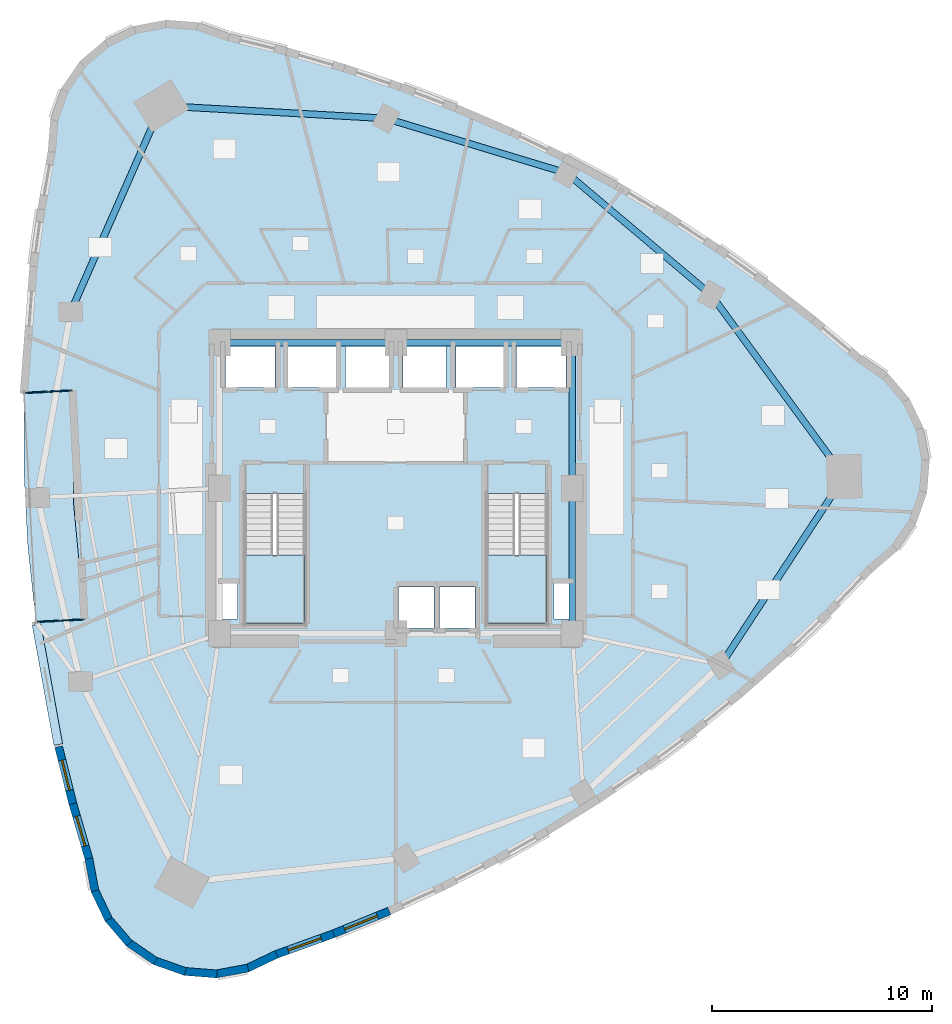
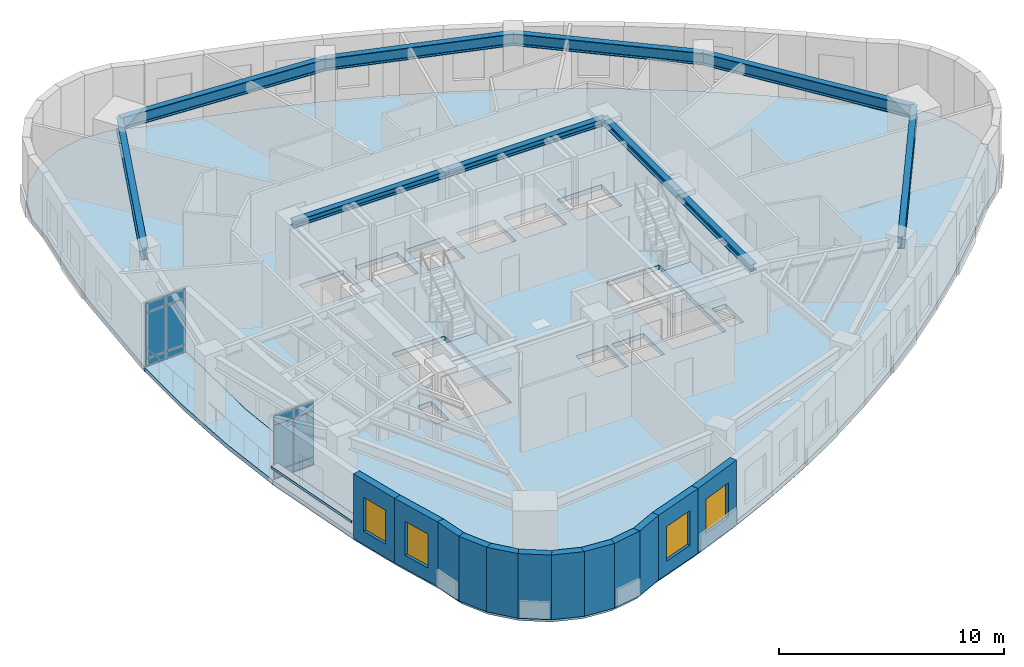
# One storey, part 4 of 12: 13 plates, 12 walls, 10 beams, 4 slabs, 4 windows, 4 openings, 4 elements without a shape of their own.
"""IFC4 building model written with IfcOpenShell, lengths in metres."""

import ifcopenshell
import ifcopenshell.guid

model = None  # the IFC model being written
_history = None  # IfcOwnerHistory: only IFC2X3 demands one
_inside = {}  # id of a spatial element -> (the spatial element, [elements in it])
_under = {}  # id of a project, library or spatial element -> (it, [spatial elements below it])
_declared = {}  # id of a project -> (the project, [libraries it declares])
_typed = {}  # id of a type object -> (the type object, [elements of that type])
_made_of = {}  # id of a material, layer set ... -> (it, [elements and type objects made of it])


def new_model(schema):
    """Start an empty IFC model of exactly this schema.

    Asked for "IFC4X3", IfcOpenShell would pick the latest addendum, in which some entities
    have other attributes; the version numbers below select the first issue.
    IFC2X3 requires an IfcOwnerHistory on every rooted entity: one is made here for all.
    """
    global model, _history
    if schema == "IFC4X3":
        model = ifcopenshell.file(schema_version=(4, 3, 0, 0))
    else:
        model = ifcopenshell.file(schema=schema)
    _inside.clear()
    _under.clear()
    _declared.clear()
    _typed.clear()
    _made_of.clear()
    _history = None
    if model.schema == "IFC2X3":
        org = make("IfcOrganization", Name="unknown")
        user = make(
            "IfcPersonAndOrganization",
            ThePerson=make("IfcPerson", FamilyName="unknown"),
            TheOrganization=org,
        )
        app = make(
            "IfcApplication",
            ApplicationDeveloper=org,
            Version="unknown",
            ApplicationFullName="unknown",
            ApplicationIdentifier="unknown",
        )
        _history = make(
            "IfcOwnerHistory",
            OwningUser=user,
            OwningApplication=app,
            ChangeAction="ADDED",
            CreationDate=0,
        )
    return model


def make(cls, **values):
    """One entity of the class cls with the attributes given. An attribute that is None is left unset."""
    return model.create_entity(
        cls, **{name: value for name, value in values.items() if value is not None}
    )


def rooted(cls, **values):
    """An entity with a GlobalId (a new one), such as an element, a storey or a relation."""
    return make(cls, GlobalId=ifcopenshell.guid.new(), OwnerHistory=_history, **values)


def si_unit(unit_type, name, prefix=None):
    """IfcSIUnit, for example si_unit("LENGTHUNIT", "METRE", prefix="MILLI")."""
    return make("IfcSIUnit", UnitType=unit_type, Prefix=prefix, Name=name)


def assignment(units):
    """IfcUnitAssignment: the units of a project."""
    return None if units is None else make("IfcUnitAssignment", Units=units)


def point(xyz):
    """IfcCartesianPoint."""
    return None if xyz is None else make("IfcCartesianPoint", Coordinates=xyz)


def direction(xyz):
    """IfcDirection."""
    return None if xyz is None else make("IfcDirection", DirectionRatios=xyz)


def frame(location, z_axis=None, x_axis=None):
    """IfcAxis2Placement3D, a coordinate frame: its origin and axes. An axis left out is left unset."""
    return make(
        "IfcAxis2Placement3D",
        Location=point(location),
        Axis=direction(z_axis),
        RefDirection=direction(x_axis),
    )


def frame_2d(location, x_axis=None):
    """IfcAxis2Placement2D, a coordinate frame in the plane: its origin and x axis."""
    return make(
        "IfcAxis2Placement2D", Location=point(location), RefDirection=direction(x_axis)
    )


def origin():
    """The frame at (0, 0, 0) with its axes left unset."""
    return frame((0.0, 0.0, 0.0))


def origin_2d():
    """The frame at (0, 0) in the plane with its x axis left unset."""
    return frame_2d((0.0, 0.0))


def place(relative_to, where):
    """IfcLocalPlacement: puts the frame where relative to a parent placement (None: the world)."""
    return make(
        "IfcLocalPlacement", PlacementRelTo=relative_to, RelativePlacement=where
    )


def context(
    kind, dimensions, precision=None, world=None, true_north=None, identifier=None
):
    """IfcGeometricRepresentationContext, for example the 3D "Model" context."""
    return make(
        "IfcGeometricRepresentationContext",
        ContextIdentifier=identifier,
        ContextType=kind,
        CoordinateSpaceDimension=dimensions,
        Precision=precision,
        WorldCoordinateSystem=world,
        TrueNorth=true_north,
    )


def subcontext(parent, identifier, kind, view, scale=None):
    """IfcGeometricRepresentationSubContext, for example "Body" below "Model"."""
    return make(
        "IfcGeometricRepresentationSubContext",
        ContextIdentifier=identifier,
        ContextType=kind,
        ParentContext=parent,
        TargetScale=scale,
        TargetView=view,
    )


def project(units=None, contexts=None):
    """IfcProject with its units and contexts."""
    return rooted(
        "IfcProject",
        Name="project",
        RepresentationContexts=contexts,
        UnitsInContext=assignment(units),
    )


def spatial(cls, under=None, at=None, **own):
    """A site, building, storey or space (cls), placed at a placement, below another one or the project."""
    s = rooted(cls, ObjectPlacement=at, **own)
    if under is not None:
        _under.setdefault(under.id(), (under, []))[1].append(s)
    return s


def polyline(points):
    """IfcPolyline through the points."""
    return make("IfcPolyline", Points=[point(p) for p in points])


def profile(cls, at=None, kind="AREA", **sizes):
    """A parametric profile (cls). Its sizes go by their IFC names, for example OverallWidth=200.0."""
    return make(cls, ProfileType=kind, Position=at, **sizes)


def rectangle(**sizes):
    """IfcRectangleProfileDef."""
    return profile("IfcRectangleProfileDef", **sizes)


def i_section(**sizes):
    """IfcIShapeProfileDef."""
    return profile("IfcIShapeProfileDef", **sizes)


def outline(outer, holes=None, kind="AREA"):
    """IfcArbitraryClosedProfileDef: a profile drawn as a closed curve; with holes, ...WithVoids."""
    if holes is None:
        return make("IfcArbitraryClosedProfileDef", ProfileType=kind, OuterCurve=outer)
    return make(
        "IfcArbitraryProfileDefWithVoids",
        ProfileType=kind,
        OuterCurve=outer,
        InnerCurves=holes,
    )


def extrude(swept, where, along, depth):
    """IfcExtrudedAreaSolid: the profile swept, set in the frame where, extruded along a direction by depth."""
    return make(
        "IfcExtrudedAreaSolid",
        SweptArea=swept,
        Position=where,
        ExtrudedDirection=direction(along),
        Depth=depth,
    )


def shape(context_of_items, identifier, shape_type, items):
    """IfcShapeRepresentation: the items that make up one representation, for example the "Body"."""
    return make(
        "IfcShapeRepresentation",
        ContextOfItems=context_of_items,
        RepresentationIdentifier=identifier,
        RepresentationType=shape_type,
        Items=items,
    )


def material(Name=None, Category=None):
    """IfcMaterial."""
    return make("IfcMaterial", Name=Name, Category=Category)


def layer(
    of_material, thickness, ventilated=None, Name=None, Category=None, Priority=None
):
    """IfcMaterialLayer: one layer of a wall or slab, of a material (None: an air gap)."""
    return make(
        "IfcMaterialLayer",
        Material=of_material,
        LayerThickness=thickness,
        IsVentilated=ventilated,
        Name=Name,
        Category=Category,
        Priority=Priority,
    )


def layer_set(layers, Name=None):
    """IfcMaterialLayerSet."""
    return make("IfcMaterialLayerSet", MaterialLayers=layers, LayerSetName=Name)


def material_profile(
    of_material, cross_section, Name=None, Category=None, Priority=None
):
    """IfcMaterialProfile: a cross section and its material."""
    return make(
        "IfcMaterialProfile",
        Name=Name,
        Material=of_material,
        Profile=cross_section,
        Priority=Priority,
        Category=Category,
    )


def profile_set(profiles, Name=None, composite=None):
    """IfcMaterialProfileSet."""
    return make(
        "IfcMaterialProfileSet",
        Name=Name,
        MaterialProfiles=profiles,
        CompositeProfile=composite,
    )


def made_of(thing, what):
    """Note that an element or type object is made of a material, layer set ...; save() writes the relation."""
    if what is not None:
        _made_of.setdefault(what.id(), (what, []))[1].append(thing)
    return thing


def type_object(cls, material=None, **own):
    """A type object (cls), such as IfcWallType, which elements share."""
    return made_of(rooted(cls, **own), material)


def element(
    cls,
    number,
    at=None,
    inside=None,
    cuts=None,
    type_object=None,
    material=None,
    context=None,
    identifier="Body",
    shape_type=None,
    held_by="IfcProductDefinitionShape",
    body=None,
    shapes=None,
    **own,
):
    """One element of the class cls, such as IfcWall. Its Tag is "e" and its number.

    at: its placement. inside: the storey or other place that contains it. cuts: it is an
    opening in that element (IfcRelVoidsElement). A single representation is given by context,
    identifier, shape_type and body (its items); several are given by shapes. held_by: the class
    of the entity that holds the representations. save() writes the other relations.
    """
    e = rooted(cls, Tag="e%d" % number, ObjectPlacement=at, **own)
    if body is not None:
        shapes = [shape(context, identifier, shape_type, body)]
    if shapes is not None:
        e.Representation = make(held_by, Representations=shapes)
    if inside is not None:
        _inside.setdefault(inside.id(), (inside, []))[1].append(e)
    if cuts is not None:
        rooted(
            "IfcRelVoidsElement", RelatingBuildingElement=cuts, RelatedOpeningElement=e
        )
    if type_object is not None:
        _typed.setdefault(type_object.id(), (type_object, []))[1].append(e)
    return made_of(e, material)


def fill(opening, filler):
    """IfcRelFillsElement: the door or window that sits in an opening."""
    return rooted(
        "IfcRelFillsElement",
        RelatingOpeningElement=opening,
        RelatedBuildingElement=filler,
    )


def aggregate(whole, parts):
    """IfcRelAggregates: a whole, such as a stair, and the parts it consists of."""
    return rooted("IfcRelAggregates", RelatingObject=whole, RelatedObjects=parts)


def save(model, path):
    """Write the relations noted so far, then the file.

    IfcRelAggregates (storeys below a building ...), IfcRelContainedInSpatialStructure (elements
    in a storey), IfcRelDefinesByType, IfcRelAssociatesMaterial and IfcRelDeclares: one each for
    every whole, place, type object, material and project.
    """
    for whole, parts in _under.values():
        aggregate(whole, parts)
    for where, things in _inside.values():
        rooted(
            "IfcRelContainedInSpatialStructure",
            RelatedElements=things,
            RelatingStructure=where,
        )
    for kind, things in _typed.values():
        rooted("IfcRelDefinesByType", RelatedObjects=things, RelatingType=kind)
    for what, things in _made_of.values():
        rooted("IfcRelAssociatesMaterial", RelatedObjects=things, RelatingMaterial=what)
    for by, libraries in _declared.values():
        rooted("IfcRelDeclares", RelatingContext=by, RelatedDefinitions=libraries)
    model.write(path)


model = new_model("IFC4")

# Units and contexts
model_context = context("Model", 3, precision=1e-05, world=origin(), true_north=direction((0.0, 1.0)))
body_context = subcontext(model_context, "Body", "Model", "MODEL_VIEW")
ifc_project = project(units=[si_unit("LENGTHUNIT", "METRE"), si_unit("AREAUNIT", "SQUARE_METRE"), si_unit("VOLUMEUNIT", "CUBIC_METRE"), si_unit("PLANEANGLEUNIT", "RADIAN"), si_unit("MASSUNIT", "GRAM", prefix="KILO")], contexts=[model_context])

# Site, building, storey
site_placement = place(None, origin())
site = spatial("IfcSite", under=ifc_project, at=site_placement, CompositionType="ELEMENT")
building_placement = place(site_placement, origin())
building = spatial("IfcBuilding", under=site, at=building_placement, Name="Ndelora Gate Hotel", CompositionType="ELEMENT")
storey_placement = place(building_placement, frame((0.0, 0.0, 138.5)))
storey = spatial("IfcBuildingStorey", under=building, at=storey_placement, Name="L34", CompositionType="ELEMENT", Elevation=138.5)

# Beams
ifc_material_1 = material(Name="Steel S355", Category="steel")
ifc_material_profile_1 = material_profile(ifc_material_1, i_section(OverallWidth=0.300048828125, OverallDepth=0.360107421875, WebThickness=0.012451171875, FlangeThickness=0.0224609375, FilletRadius=0.027099609375, at=origin_2d()), Name="HEB 360")
ifc_profile_set_1 = profile_set([ifc_material_profile_1], Name="Steel S355")
beam_type_1 = type_object("IfcBeamType", Name="BM-CORE-360", PredefinedType="BEAM", material=ifc_profile_set_1)
for number, where, z_axis, x_axis, name in (
    (1, (-8.0, 6.60009765625, 3.320068359375), (1.0, 0.0, 0.0), (0.0, 1.0, 0.0), "L34 Core Tie Girder CC7-CC6"),
    (2, (0.0, 6.60009765625, 3.320068359375), (1.0, 0.0, 0.0), (0.0, 1.0, 0.0), "L34 Core Tie Girder CC6-CC5"),
):
    element("IfcBeam", number, at=place(storey_placement, frame(where, z_axis=z_axis, x_axis=x_axis)), inside=storey, type_object=beam_type_1, Name=name, PredefinedType="BEAM", context=body_context, shape_type="SweptSolid", body=[
        extrude(i_section(OverallWidth=0.300048828125, OverallDepth=0.360107421875, WebThickness=0.012451171875, FlangeThickness=0.0224609375, FilletRadius=0.027099609375, at=origin_2d()), origin(), (0.0, 0.0, 1.0), 8.0),
    ])
for number, where, z_axis, x_axis, name in (
    (3, (8.0, -6.60009765625, 3.320068359375), (0.0, 1.0, 0.0), (-1.0, 0.0, 0.0), "L34 Core Tie Girder CC3-CC4"),
    (4, (8.0, 0.0, 3.320068359375), (0.0, 1.0, 0.0), (-1.0, 0.0, 0.0), "L34 Core Tie Girder CC4-CC5"),
):
    element("IfcBeam", number, at=place(storey_placement, frame(where, z_axis=z_axis, x_axis=x_axis)), inside=storey, type_object=beam_type_1, Name=name, PredefinedType="BEAM", context=body_context, shape_type="SweptSolid", body=[
        extrude(i_section(OverallWidth=0.300048828125, OverallDepth=0.360107421875, WebThickness=0.012451171875, FlangeThickness=0.0224609375, FilletRadius=0.027099609375, at=origin_2d()), origin(), (0.0, 0.0, 1.0), 6.60009765625),
    ])
ifc_material_profile_2 = material_profile(ifc_material_1, i_section(OverallWidth=0.300048828125, OverallDepth=0.64990234375, WebThickness=0.01611328125, FlangeThickness=0.031005859375, FilletRadius=0.027099609375, at=origin_2d()), Name="HEB 650")
ifc_profile_set_2 = profile_set([ifc_material_profile_2], Name="Steel S355")
beam_type_2 = type_object("IfcBeamType", Name="BM-RING-650", PredefinedType="SPANDREL", material=ifc_profile_set_2)
beam_1_placement = place(storey_placement, frame((-10.63330078125, 17.351806640625, 3.175048828125), z_axis=(-0.402852396707, -0.915264959707, 0.0), x_axis=(0.915264959707, -0.402852396707, 0.0)))
element("IfcBeam", 5, at=beam_1_placement, inside=storey, type_object=beam_type_2, Name="L34 Perimeter Spandrel Girder 1", PredefinedType="SPANDREL", context=body_context, shape_type="SweptSolid", body=[
    extrude(i_section(OverallWidth=0.300048828125, OverallDepth=0.64990234375, WebThickness=0.01611328125, FlangeThickness=0.031005859375, FilletRadius=0.027099609375, at=origin_2d()), origin(), (0.0, 0.0, 1.0), 10.21044921875),
])
for number, where, z_axis, x_axis, name in (
    (6, (14.74658203125, -8.006591796875, 3.175048828125), (0.548194123818, 0.836351123998, 0.0), (-0.836351123998, 0.548194123818, 0.0), "L34 Perimeter Spandrel Girder 8"),
    (7, (20.34375, 0.53271484375, 3.175048828125), (-0.591229932094, 0.806503048597, 0.0), (-0.806503048597, -0.591229932094, 0.0), "L34 Perimeter Spandrel Girder 9"),
):
    element("IfcBeam", number, at=place(storey_placement, frame(where, z_axis=z_axis, x_axis=x_axis)), inside=storey, type_object=beam_type_2, Name=name, PredefinedType="SPANDREL", context=body_context, shape_type="SweptSolid", body=[
        extrude(i_section(OverallWidth=0.300048828125, OverallDepth=0.64990234375, WebThickness=0.01611328125, FlangeThickness=0.031005859375, FilletRadius=0.027099609375, at=origin_2d()), origin(), (0.0, 0.0, 1.0), 10.210205078125),
    ])
beam_2_placement = place(storey_placement, frame((14.30712890625, 8.767333984375, 3.175048828125), z_axis=(-0.76440691948, 0.644734101356, 0.0), x_axis=(-0.644734101356, -0.76440691948, 0.0)))
element("IfcBeam", 8, at=beam_2_placement, inside=storey, type_object=beam_type_2, Name="L34 Perimeter Spandrel Girder 10", PredefinedType="SPANDREL", context=body_context, shape_type="SweptSolid", body=[
    extrude(i_section(OverallWidth=0.300048828125, OverallDepth=0.64990234375, WebThickness=0.01611328125, FlangeThickness=0.031005859375, FilletRadius=0.027099609375, at=origin_2d()), origin(), (0.0, 0.0, 1.0), 8.566162109375),
])
beam_3_placement = place(storey_placement, frame((7.759033203125, 14.290283203125, 3.175048828125), z_axis=(-0.957030396662, 0.289987620192, 0.0), x_axis=(-0.289987620192, -0.957030396662, 0.0)))
element("IfcBeam", 9, at=beam_3_placement, inside=storey, type_object=beam_type_2, Name="L34 Perimeter Spandrel Girder 11", PredefinedType="SPANDREL", context=body_context, shape_type="SweptSolid", body=[
    extrude(i_section(OverallWidth=0.300048828125, OverallDepth=0.64990234375, WebThickness=0.01611328125, FlangeThickness=0.031005859375, FilletRadius=0.027099609375, at=origin_2d()), origin(), (0.0, 0.0, 1.0), 8.56640625),
])
beam_4_placement = place(storey_placement, frame((-0.439208984375, 16.7744140625, 3.175048828125), z_axis=(-0.998399808671, 0.056549288648, 0.0), x_axis=(-0.056549288648, -0.998399808671, 0.0)))
element("IfcBeam", 10, at=beam_4_placement, inside=storey, type_object=beam_type_2, Name="L34 Perimeter Spandrel Girder 12", PredefinedType="SPANDREL", context=body_context, shape_type="SweptSolid", body=[
    extrude(i_section(OverallWidth=0.300048828125, OverallDepth=0.64990234375, WebThickness=0.01611328125, FlangeThickness=0.031005859375, FilletRadius=0.027099609375, at=origin_2d()), origin(), (0.0, 0.0, 1.0), 10.21044921875),
])

# Curtain wall, plates
ifc_material_2 = material(Name="Bronze Anodised Unitised Aluminium and Low-E Glass", Category="aluminium")
ifc_layer_1 = layer(ifc_material_2, 0.199951171875)
ifc_layer_set_1 = layer_set([ifc_layer_1], Name="Bronze Anodised Unitised Aluminium and Low-E Glass")
curtain_wall_type = type_object("IfcCurtainWallType", Name="CW-SYS-3", PredefinedType="NOTDEFINED", material=ifc_layer_set_1)
curtain_wall_1_placement = place(storey_placement, origin())
curtain_wall_1 = element("IfcCurtainWall", 11, at=curtain_wall_1_placement, inside=storey, type_object=curtain_wall_type, Name="L34 Sky-Garden Loggia Side Curtain Wall CW3-1", PredefinedType="NOTDEFINED")
ifc_material_3 = material(Name="Solar-Control Low-E Insulated Glazing", Category="glass")
ifc_layer_2 = layer(ifc_material_3, 0.048095703125)
ifc_layer_set_2 = layer_set([ifc_layer_2], Name="Solar-Control Low-E Insulated Glazing")
plate_type_1 = type_object("IfcPlateType", Name="PL-CW-GLZ36", PredefinedType="CURTAIN_PANEL", material=ifc_layer_set_2)
plate_1_placement = place(storey_placement, frame((-15.2333984375, 4.40869140625, 0.05908203125), z_axis=(0.0, 0.0, 1.0), x_axis=(-0.998630482257, -0.052317873695, 0.0)))
plate_1 = element("IfcPlate", 12, at=plate_1_placement, type_object=plate_type_1, Name="CW3 panel 1.1", PredefinedType="CURTAIN_PANEL", context=body_context, shape_type="SweptSolid", body=[
    extrude(rectangle(XDim=1.014404296875, YDim=0.048095703125, at=origin_2d()), origin(), (0.0, 0.0, 1.0), 0.364501953125),
])
plate_2_placement = place(storey_placement, frame((-15.2333984375, 4.40869140625, 0.4765625), z_axis=(0.0, 0.0, 1.0), x_axis=(-0.998630482257, -0.052317873695, 0.0)))
plate_2 = element("IfcPlate", 13, at=plate_2_placement, type_object=plate_type_1, Name="CW3 panel 1.2", PredefinedType="CURTAIN_PANEL", context=body_context, shape_type="SweptSolid", body=[
    extrude(rectangle(XDim=1.014404296875, YDim=0.048095703125, at=origin_2d()), origin(), (0.0, 0.0, 1.0), 2.447021484375),
])
plate_3_placement = place(storey_placement, frame((-15.2333984375, 4.40869140625, 2.9765625), z_axis=(0.0, 0.0, 1.0), x_axis=(-0.998630482257, -0.052317873695, 0.0)))
plate_3 = element("IfcPlate", 14, at=plate_3_placement, type_object=plate_type_1, Name="CW3 panel 1.3", PredefinedType="CURTAIN_PANEL", context=body_context, shape_type="SweptSolid", body=[
    extrude(rectangle(XDim=1.014404296875, YDim=0.048095703125, at=origin_2d()), origin(), (0.0, 0.0, 1.0), 0.464599609375),
])
plate_4_placement = place(storey_placement, frame((-16.299560546875, 4.35302734375, 0.05908203125), z_axis=(0.0, 0.0, 1.0), x_axis=(-0.998630482257, -0.052317873695, 0.0)))
plate_4 = element("IfcPlate", 15, at=plate_4_placement, type_object=plate_type_1, Name="CW3 panel 2.1", PredefinedType="CURTAIN_PANEL", context=body_context, shape_type="SweptSolid", body=[
    extrude(rectangle(XDim=1.014404296875, YDim=0.048095703125, at=origin_2d()), origin(), (0.0, 0.0, 1.0), 0.364501953125),
])
plate_5_placement = place(storey_placement, frame((-16.299560546875, 4.35302734375, 0.4765625), z_axis=(0.0, 0.0, 1.0), x_axis=(-0.998630482257, -0.052317873695, 0.0)))
plate_5 = element("IfcPlate", 16, at=plate_5_placement, type_object=plate_type_1, Name="CW3 panel 2.2", PredefinedType="CURTAIN_PANEL", context=body_context, shape_type="SweptSolid", body=[
    extrude(rectangle(XDim=1.014404296875, YDim=0.048095703125, at=origin_2d()), origin(), (0.0, 0.0, 1.0), 2.447021484375),
])
plate_6_placement = place(storey_placement, frame((-16.299560546875, 4.35302734375, 2.9765625), z_axis=(0.0, 0.0, 1.0), x_axis=(-0.998630482257, -0.052317873695, 0.0)))
plate_6 = element("IfcPlate", 17, at=plate_6_placement, type_object=plate_type_1, Name="CW3 panel 2.3", PredefinedType="CURTAIN_PANEL", context=body_context, shape_type="SweptSolid", body=[
    extrude(rectangle(XDim=1.014404296875, YDim=0.048095703125, at=origin_2d()), origin(), (0.0, 0.0, 1.0), 0.464599609375),
])
aggregate(curtain_wall_1, [plate_1, plate_2, plate_3, plate_4, plate_5, plate_6])

curtain_wall_2_placement = place(storey_placement, origin())
curtain_wall_2 = element("IfcCurtainWall", 18, at=curtain_wall_2_placement, inside=storey, type_object=curtain_wall_type, Name="L34 Sky-Garden Loggia Side Curtain Wall CW3-2", PredefinedType="NOTDEFINED")
plate_7_placement = place(storey_placement, frame((-15.755126953125, -6.032958984375, 0.05908203125), z_axis=(0.0, 0.0, 1.0), x_axis=(0.998628106419, 0.052363203389, 0.0)))
plate_7 = element("IfcPlate", 19, at=plate_7_placement, type_object=plate_type_1, Name="CW3 panel 1.1", PredefinedType="CURTAIN_PANEL", context=body_context, shape_type="SweptSolid", body=[
    extrude(rectangle(XDim=1.014404296875, YDim=0.048095703125, at=origin_2d()), origin(), (0.0, 0.0, 1.0), 0.364501953125),
])
plate_8_placement = place(storey_placement, frame((-15.755126953125, -6.032958984375, 0.4765625), z_axis=(0.0, 0.0, 1.0), x_axis=(0.998628106419, 0.052363203389, 0.0)))
plate_8 = element("IfcPlate", 20, at=plate_8_placement, type_object=plate_type_1, Name="CW3 panel 1.2", PredefinedType="CURTAIN_PANEL", context=body_context, shape_type="SweptSolid", body=[
    extrude(rectangle(XDim=1.014404296875, YDim=0.048095703125, at=origin_2d()), origin(), (0.0, 0.0, 1.0), 2.447021484375),
])
plate_9_placement = place(storey_placement, frame((-15.755126953125, -6.032958984375, 2.9765625), z_axis=(0.0, 0.0, 1.0), x_axis=(0.998628106419, 0.052363203389, 0.0)))
plate_9 = element("IfcPlate", 21, at=plate_9_placement, type_object=plate_type_1, Name="CW3 panel 1.3", PredefinedType="CURTAIN_PANEL", context=body_context, shape_type="SweptSolid", body=[
    extrude(rectangle(XDim=1.014404296875, YDim=0.048095703125, at=origin_2d()), origin(), (0.0, 0.0, 1.0), 0.464599609375),
])
plate_10_placement = place(storey_placement, frame((-14.689208984375, -5.97705078125, 0.05908203125), z_axis=(0.0, 0.0, 1.0), x_axis=(0.998628106419, 0.052363203389, 0.0)))
plate_10 = element("IfcPlate", 22, at=plate_10_placement, type_object=plate_type_1, Name="CW3 panel 2.1", PredefinedType="CURTAIN_PANEL", context=body_context, shape_type="SweptSolid", body=[
    extrude(rectangle(XDim=1.014404296875, YDim=0.048095703125, at=origin_2d()), origin(), (0.0, 0.0, 1.0), 0.364501953125),
])
plate_11_placement = place(storey_placement, frame((-14.689208984375, -5.97705078125, 0.4765625), z_axis=(0.0, 0.0, 1.0), x_axis=(0.998628106419, 0.052363203389, 0.0)))
plate_11 = element("IfcPlate", 23, at=plate_11_placement, type_object=plate_type_1, Name="CW3 panel 2.2", PredefinedType="CURTAIN_PANEL", context=body_context, shape_type="SweptSolid", body=[
    extrude(rectangle(XDim=1.014404296875, YDim=0.048095703125, at=origin_2d()), origin(), (0.0, 0.0, 1.0), 2.447021484375),
])
plate_12_placement = place(storey_placement, frame((-14.689208984375, -5.97705078125, 2.9765625), z_axis=(0.0, 0.0, 1.0), x_axis=(0.998628106419, 0.052363203389, 0.0)))
plate_12 = element("IfcPlate", 24, at=plate_12_placement, type_object=plate_type_1, Name="CW3 panel 2.3", PredefinedType="CURTAIN_PANEL", context=body_context, shape_type="SweptSolid", body=[
    extrude(rectangle(XDim=1.014404296875, YDim=0.048095703125, at=origin_2d()), origin(), (0.0, 0.0, 1.0), 0.464599609375),
])
aggregate(curtain_wall_2, [plate_7, plate_8, plate_9, plate_10, plate_11, plate_12])

# Plate
ifc_material_4 = material(Name="Precast concrete C40/50", Category="concrete")
ifc_layer_3 = layer(ifc_material_4, 0.125)
ifc_layer_set_3 = layer_set([ifc_layer_3], Name="Precast concrete C40/50")
plate_type_2 = type_object("IfcPlateType", Name="PL-SILL-120", PredefinedType="USERDEFINED", material=ifc_layer_set_3)
plate_13_placement = place(storey_placement, frame((-15.804443359375, -8.904541015625, 0.78759765625), z_axis=(0.0, 0.0, 1.0), x_axis=(-0.17863049206, 0.983916229822, 0.0)))
element("IfcPlate", 25, at=plate_13_placement, inside=storey, type_object=plate_type_2, Name="L34 Streamline Precast Ribbon Sill 16", ObjectType="RIBBON_SILL", PredefinedType="USERDEFINED", context=body_context, shape_type="SweptSolid", body=[
    extrude(rectangle(XDim=5.527099609375, YDim=0.39990234375, at=origin_2d()), origin(), (0.0, 0.0, 1.0), 0.125),
])

# Stair, slab
stair_type = type_object("IfcStairType", Name="STR-DOG-CORE", PredefinedType="HALF_TURN_STAIR", material=ifc_material_4)
stair_1_placement = place(storey_placement, origin())
stair_1 = element("IfcStair", 26, at=stair_1_placement, inside=storey, type_object=stair_type, Name="L34 Protected Core Exit Stair ST4", PredefinedType="HALF_TURN_STAIR")
ifc_layer_4 = layer(ifc_material_4, 0.219970703125)
ifc_layer_set_4 = layer_set([ifc_layer_4], Name="Precast concrete C40/50")
slab_type_1 = type_object("IfcSlabType", Name="SL-LAND-220", PredefinedType="LANDING", material=ifc_layer_set_4)
slab_1_placement = place(storey_placement, frame((0.0, 0.0, 1.675048828125)))
slab_1 = element("IfcSlab", 27, at=slab_1_placement, type_object=slab_type_1, Name="ST4 landing 1", PredefinedType="LANDING", context=body_context, shape_type="SweptSolid", body=[
    extrude(outline(polyline([(-6.85009765625, -3.030029296875), (-6.85009765625, -6.14990234375), (-4.1298828125, -6.14990234375), (-4.1298828125, -3.030029296875), (-6.85009765625, -3.030029296875)])), origin(), (0.0, 0.0, 1.0), 0.199951171875),
])
aggregate(stair_1, [slab_1])

stair_2_placement = place(storey_placement, origin())
stair_2 = element("IfcStair", 28, at=stair_2_placement, inside=storey, type_object=stair_type, Name="L34 Protected Core Exit Stair ST5", PredefinedType="HALF_TURN_STAIR")
slab_2_placement = place(storey_placement, frame((0.0, 0.0, 1.675048828125)))
slab_2 = element("IfcSlab", 29, at=slab_2_placement, type_object=slab_type_1, Name="ST5 landing 1", PredefinedType="LANDING", context=body_context, shape_type="SweptSolid", body=[
    extrude(outline(polyline([(4.1298828125, -3.030029296875), (4.1298828125, -6.14990234375), (6.85009765625, -6.14990234375), (6.85009765625, -3.030029296875), (4.1298828125, -3.030029296875)])), origin(), (0.0, 0.0, 1.0), 0.199951171875),
])
aggregate(stair_2, [slab_2])

# Slabs
ifc_layer_5 = layer(ifc_material_4, 0.239990234375)
ifc_layer_set_5 = layer_set([ifc_layer_5], Name="Precast concrete C40/50")
slab_type_2 = type_object("IfcSlabType", Name="SL-TER-240", PredefinedType="FLOOR", material=ifc_layer_set_5)
slab_3_placement = place(storey_placement, frame((0.0, 0.0, -0.239990234375)))
element("IfcSlab", 30, at=slab_3_placement, inside=storey, type_object=slab_type_2, Name="L34 Sky Garden Loggia Terrace Slab", PredefinedType="FLOOR", context=body_context, shape_type="SweptSolid", body=[
    extrude(outline(polyline([(-14.66796875, 4.4384765625), (-16.864990234375, 4.3232421875), (-16.875, 0.885986328125), (-16.689697265625, -2.64501953125), (-16.32080078125, -6.0625), (-14.123779296875, -5.947265625), (-14.610107421875, -0.765625), (-14.66796875, 4.4384765625)])), origin(), (0.0, 0.0, 1.0), 0.239990234375),
])
ifc_material_5 = material(Name="Concrete C40/50", Category="concrete")
ifc_layer_6 = layer(ifc_material_5, 0.25)
ifc_layer_set_6 = layer_set([ifc_layer_6], Name="Concrete C40/50")
slab_type_3 = type_object("IfcSlabType", Name="SL-TWR-250", PredefinedType="FLOOR", material=ifc_layer_set_6)
slab_4_placement = place(storey_placement, frame((0.0, 0.0, -0.25)))
element("IfcSlab", 31, at=slab_4_placement, inside=storey, type_object=slab_type_3, Name="L34 Structural Floor Slab", PredefinedType="FLOOR", context=body_context, shape_type="SweptSolid", body=[
    extrude(outline(polyline([(-7.61181640625, 20.466552734375), (-8.965087890625, 20.94580078125), (-10.396484375, 21.05859375), (-11.808349609375, 20.796875), (-13.104248046875, 20.1787109375), (-14.196044921875, 19.24609375), (-15.00927734375, 18.06298828125), (-15.488525390625, 16.70947265625), (-15.60107421875, 15.2783203125), (-16.069091796875, 12.67822265625), (-16.4326171875, 10.083984375), (-16.864990234375, 4.3232421875), (-14.66796875, 4.4384765625), (-14.610107421875, -0.765625), (-14.123779296875, -5.947265625), (-16.32080078125, -6.0625), (-15.288330078125, -11.746337890625), (-14.656005859375, -14.28857421875), (-13.918701171875, -16.8251953125), (-13.656982421875, -18.237060546875), (-13.038818359375, -19.532958984375), (-12.1064453125, -20.624755859375), (-10.923095703125, -21.43798828125), (-9.569580078125, -21.917236328125), (-8.138427734375, -22.02978515625), (-6.7265625, -21.768310546875), (-5.4306640625, -21.150146484375), (-2.8427734375, -20.21630859375), (-0.31689453125, -19.18701171875), (2.14697265625, -18.062255859375), (4.548828125, -16.842041015625), (6.888671875, -15.5263671875), (9.16650390625, -14.114990234375), (11.382080078125, -12.608154296875), (13.535888671875, -11.005859375), (15.62744140625, -9.30810546875), (17.6572265625, -7.5146484375), (19.624755859375, -5.625732421875), (21.530517578125, -3.641357421875), (22.622314453125, -2.708740234375), (23.435302734375, -1.525634765625), (23.914794921875, -0.172119140625), (24.02734375, 1.25927734375), (23.765625, 2.6708984375), (23.147705078125, 3.966796875), (22.215087890625, 5.05859375), (21.03173828125, 5.871826171875), (18.92919921875, 7.646240234375), (16.77490234375, 9.319091796875), (14.569091796875, 10.890380859375), (12.311279296875, 12.3603515625), (10.001708984375, 13.728759765625), (7.640625, 14.995849609375), (5.227783203125, 16.161376953125), (2.763427734375, 17.225341796875), (0.247314453125, 18.187744140625), (-2.32080078125, 19.048828125), (-4.9404296875, 19.808349609375), (-7.61181640625, 20.466552734375)]), holes=[polyline([(-6.85009765625, -0.22998046875), (-6.85009765625, -6.14990234375), (-4.1298828125, -6.14990234375), (-4.1298828125, -0.22998046875), (-6.85009765625, -0.22998046875)]), polyline([(4.1298828125, -0.22998046875), (4.1298828125, -6.14990234375), (6.85009765625, -6.14990234375), (6.85009765625, -0.22998046875), (4.1298828125, -0.22998046875)]), polyline([(-7.72998046875, 4.570068359375), (-5.469970703125, 4.570068359375), (-5.469970703125, 6.429931640625), (-7.72998046875, 6.429931640625), (-7.72998046875, 4.570068359375)]), polyline([(5.469970703125, 4.570068359375), (7.72998046875, 4.570068359375), (7.72998046875, 6.429931640625), (5.469970703125, 6.429931640625), (5.469970703125, 4.570068359375)]), polyline([(-4.8798828125, 4.570068359375), (-2.719970703125, 4.570068359375), (-2.719970703125, 6.429931640625), (-4.8798828125, 6.429931640625), (-4.8798828125, 4.570068359375)]), polyline([(2.719970703125, 4.570068359375), (4.8798828125, 4.570068359375), (4.8798828125, 6.429931640625), (2.719970703125, 6.429931640625), (2.719970703125, 4.570068359375)]), polyline([(0.1201171875, -6.330078125), (1.739990234375, -6.330078125), (1.739990234375, -4.469970703125), (0.1201171875, -4.469970703125), (0.1201171875, -6.330078125)]), polyline([(1.97998046875, -6.330078125), (3.60009765625, -6.330078125), (3.60009765625, -4.469970703125), (1.97998046875, -4.469970703125), (1.97998046875, -6.330078125)]), polyline([(-2.280029296875, 4.570068359375), (-0.320068359375, 4.570068359375), (-0.320068359375, 6.429931640625), (-2.280029296875, 6.429931640625), (-2.280029296875, 4.570068359375)]), polyline([(0.320068359375, 4.570068359375), (2.280029296875, 4.570068359375), (2.280029296875, 6.429931640625), (0.320068359375, 6.429931640625), (0.320068359375, 4.570068359375)]), polyline([(-7.89990234375, -5.919921875), (-7.179931640625, -5.919921875), (-7.179931640625, -4.320068359375), (-7.89990234375, -4.320068359375), (-7.89990234375, -5.919921875)]), polyline([(7.179931640625, -5.919921875), (7.89990234375, -5.919921875), (7.89990234375, -4.320068359375), (7.179931640625, -4.320068359375), (7.179931640625, -5.919921875)])]), origin(), (0.0, 0.0, 1.0), 0.25),
])

# Wall, opening, window
ifc_material_6 = material(Name="Clay Brick Masonry", Category="masonry")
ifc_layer_7 = layer(ifc_material_6, 0.360107421875)
ifc_layer_set_7 = layer_set([ifc_layer_7], Name="Clay Brick Masonry")
wall_type = type_object("IfcWallType", Name="WL-BRICK-360", PredefinedType="SOLIDWALL", material=ifc_layer_set_7)
wall_1_placement = place(storey_placement, frame((-14.64990234375, -14.312744140625, 0.0), z_axis=(0.0, 0.0, 1.0), x_axis=(-0.24143802429, 0.97041624081, 0.0)))
wall_1 = element("IfcWall", 32, at=wall_1_placement, inside=storey, type_object=wall_type, Name="L34 Tower Brick Pier-and-Spandrel Wall TWR-17", PredefinedType="SOLIDWALL", context=body_context, shape_type="SweptSolid", body=[
    extrude(rectangle(XDim=2.66943359375, YDim=0.360107421875, at=frame_2d((1.334716796875, 0.0))), origin(), (0.0, 0.0, 1.0), 3.5),
])
opening_1_placement = place(wall_1_placement, frame((0.634765625, 0.0, 0.719970703125)))
opening_1 = element("IfcOpeningElement", 33, at=opening_1_placement, cuts=wall_1, Name="Opening W02", PredefinedType="OPENING", context=body_context, shape_type="SweptSolid", body=[
    extrude(rectangle(XDim=1.39990234375, YDim=1.840087890625, at=frame_2d((0.699951171875, 0.919921875))), frame((0.0, 0.18994140625, 0.0), z_axis=(0.0, -1.0, 0.0), x_axis=(1.0, 0.0, 0.0)), (0.0, 0.0, 1.0), 0.380126953125),
])
ifc_material_7 = material(Name="Insulated Low-E Double Glazing in Bronze Aluminium Frame", Category="aluminium")
window_type_1 = type_object("IfcWindowType", Name="WN-DEEP-1400", PartitioningType="SINGLE_PANEL", PredefinedType="WINDOW", material=ifc_material_7)
window_1_placement = place(opening_1_placement, origin())
window_1 = element("IfcWindow", 34, at=window_1_placement, inside=storey, type_object=window_type_1, Name="L34 Deep-Set Brick-Pier Window W02", OverallHeight=1.840087890625, OverallWidth=1.39990234375, PartitioningType="SINGLE_PANEL", PredefinedType="WINDOW", context=body_context, shape_type="SweptSolid", body=[
    extrude(rectangle(XDim=1.39990234375, YDim=1.840087890625, at=frame_2d((0.699951171875, 0.919921875))), frame((0.0, 0.030029296875, 0.0), z_axis=(0.0, -1.0, 0.0), x_axis=(1.0, 0.0, 0.0)), (0.0, 0.0, 1.0), 0.06005859375),
])
fill(opening_1, window_1)

wall_2_placement = place(storey_placement, frame((-13.91162109375, -16.84912109375, 0.0), z_axis=(0.0, 0.0, 1.0), x_axis=(-0.279174454366, 0.960240399082, 0.0)))
wall_2 = element("IfcWall", 35, at=wall_2_placement, inside=storey, type_object=wall_type, Name="L34 Tower Brick Pier-and-Spandrel Wall TWR-18", PredefinedType="SOLIDWALL", context=body_context, shape_type="SweptSolid", body=[
    extrude(rectangle(XDim=2.691650390625, YDim=0.360107421875, at=frame_2d((1.345703125, 0.0))), origin(), (0.0, 0.0, 1.0), 3.5),
])
opening_2_placement = place(wall_2_placement, frame((0.645751953125, 0.0, 0.719970703125)))
opening_2 = element("IfcOpeningElement", 36, at=opening_2_placement, cuts=wall_2, Name="Opening W02", PredefinedType="OPENING", context=body_context, shape_type="SweptSolid", body=[
    extrude(rectangle(XDim=1.39990234375, YDim=1.840087890625, at=frame_2d((0.699951171875, 0.919921875))), frame((0.0, 0.18994140625, 0.0), z_axis=(0.0, -1.0, 0.0), x_axis=(1.0, 0.0, 0.0)), (0.0, 0.0, 1.0), 0.380126953125),
])
window_2_placement = place(opening_2_placement, origin())
window_2 = element("IfcWindow", 37, at=window_2_placement, inside=storey, type_object=window_type_1, Name="L34 Deep-Set Brick-Pier Window W02", OverallHeight=1.840087890625, OverallWidth=1.39990234375, PartitioningType="SINGLE_PANEL", PredefinedType="WINDOW", context=body_context, shape_type="SweptSolid", body=[
    extrude(rectangle(XDim=1.39990234375, YDim=1.840087890625, at=frame_2d((0.699951171875, 0.919921875))), frame((0.0, 0.030029296875, 0.0), z_axis=(0.0, -1.0, 0.0), x_axis=(1.0, 0.0, 0.0)), (0.0, 0.0, 1.0), 0.06005859375),
])
fill(opening_2, window_2)

# Walls
wall_3_placement = place(storey_placement, frame((-13.65234375, -18.26171875, 0.0), z_axis=(0.0, 0.0, 1.0), x_axis=(-0.18235397995, 0.983232945947, 0.0)))
element("IfcWall", 38, at=wall_3_placement, inside=storey, type_object=wall_type, Name="L34 Tower Brick Pier-and-Spandrel Wall TWR-19", PredefinedType="SOLIDWALL", context=body_context, shape_type="SweptSolid", body=[
    extrude(rectangle(XDim=1.486083984375, YDim=0.360107421875, at=frame_2d((0.7431640625, 0.0))), origin(), (0.0, 0.0, 1.0), 3.5),
])
for number, where, z_axis, x_axis, name in (
    (39, (-13.028076171875, -19.555419921875, 0.0), (0.0, 0.0, 1.0), (-0.430507535938, 0.902586982789, 0.0), "L34 Tower Brick Pier-and-Spandrel Wall TWR-20"),
    (40, (-12.090087890625, -20.643798828125, 0.0), (0.0, 0.0, 1.0), (-0.649477934003, 0.760380439809, 0.0), "L34 Tower Brick Pier-and-Spandrel Wall TWR-21"),
):
    element("IfcWall", number, at=place(storey_placement, frame(where, z_axis=z_axis, x_axis=x_axis)), inside=storey, type_object=wall_type, Name=name, PredefinedType="SOLIDWALL", context=body_context, shape_type="SweptSolid", body=[
        extrude(rectangle(XDim=1.48583984375, YDim=0.360107421875, at=frame_2d((0.742919921875, 0.0))), origin(), (0.0, 0.0, 1.0), 3.5),
    ])
wall_4_placement = place(storey_placement, frame((-10.902587890625, -21.4521484375, 0.0), z_axis=(0.0, 0.0, 1.0), x_axis=(-0.824104250472, 0.566438155808, 0.0)))
element("IfcWall", 41, at=wall_4_placement, inside=storey, type_object=wall_type, Name="L34 Tower Brick Pier-and-Spandrel Wall TWR-22", PredefinedType="SOLIDWALL", context=body_context, shape_type="SweptSolid", body=[
    extrude(rectangle(XDim=1.485595703125, YDim=0.360107421875, at=frame_2d((0.74267578125, 0.0))), origin(), (0.0, 0.0, 1.0), 3.5),
])
wall_5_placement = place(storey_placement, frame((-9.546142578125, -21.925537109375, 0.0), z_axis=(0.0, 0.0, 1.0), x_axis=(-0.942671384708, 0.33372243025, 0.0)))
element("IfcWall", 42, at=wall_5_placement, inside=storey, type_object=wall_type, Name="L34 Tower Brick Pier-and-Spandrel Wall TWR-23", PredefinedType="SOLIDWALL", context=body_context, shape_type="SweptSolid", body=[
    extrude(rectangle(XDim=1.48583984375, YDim=0.360107421875, at=frame_2d((0.742919921875, 0.0))), origin(), (0.0, 0.0, 1.0), 3.5),
])
wall_6_placement = place(storey_placement, frame((-8.113525390625, -22.03173828125, 0.0), z_axis=(0.0, 0.0, 1.0), x_axis=(-0.996922531952, 0.078393018091, 0.0)))
element("IfcWall", 43, at=wall_6_placement, inside=storey, type_object=wall_type, Name="L34 Tower Brick Pier-and-Spandrel Wall TWR-24", PredefinedType="SOLIDWALL", context=body_context, shape_type="SweptSolid", body=[
    extrude(rectangle(XDim=1.485595703125, YDim=0.360107421875, at=frame_2d((0.74267578125, 0.0))), origin(), (0.0, 0.0, 1.0), 3.5),
])
wall_7_placement = place(storey_placement, frame((-6.701904296875, -21.763671875, 0.0), z_axis=(0.0, 0.0, 1.0), x_axis=(-0.983262389335, -0.182195152844, 0.0)))
element("IfcWall", 44, at=wall_7_placement, inside=storey, type_object=wall_type, Name="L34 Tower Brick Pier-and-Spandrel Wall TWR-25", PredefinedType="SOLIDWALL", context=body_context, shape_type="SweptSolid", body=[
    extrude(rectangle(XDim=1.486083984375, YDim=0.360107421875, at=frame_2d((0.7431640625, 0.0))), origin(), (0.0, 0.0, 1.0), 3.5),
])
wall_8_placement = place(storey_placement, frame((-5.408203125, -21.139404296875, 0.0), z_axis=(0.0, 0.0, 1.0), x_axis=(-0.902586982789, -0.430507535938, 0.0)))
element("IfcWall", 45, at=wall_8_placement, inside=storey, type_object=wall_type, Name="L34 Tower Brick Pier-and-Spandrel Wall TWR-26", PredefinedType="SOLIDWALL", context=body_context, shape_type="SweptSolid", body=[
    extrude(rectangle(XDim=1.48583984375, YDim=0.360107421875, at=frame_2d((0.742919921875, 0.0))), origin(), (0.0, 0.0, 1.0), 3.5),
])

# Wall, opening, window
wall_9_placement = place(storey_placement, frame((-2.8193359375, -20.207763671875, 0.0), z_axis=(0.0, 0.0, 1.0), x_axis=(-0.94061266542, -0.339481683822, 0.0)))
wall_9 = element("IfcWall", 46, at=wall_9_placement, inside=storey, type_object=wall_type, Name="L34 Tower Brick Pier-and-Spandrel Wall TWR-27", PredefinedType="SOLIDWALL", context=body_context, shape_type="SweptSolid", body=[
    extrude(rectangle(XDim=2.801025390625, YDim=0.360107421875, at=frame_2d((1.400390625, 0.0))), origin(), (0.0, 0.0, 1.0), 3.5),
])
opening_3_placement = place(wall_9_placement, frame((0.6005859375, 0.0, 0.719970703125)))
opening_3 = element("IfcOpeningElement", 47, at=opening_3_placement, cuts=wall_9, Name="Opening W01", PredefinedType="OPENING", context=body_context, shape_type="SweptSolid", body=[
    extrude(rectangle(XDim=1.60009765625, YDim=1.8798828125, at=frame_2d((0.800048828125, 0.93994140625))), frame((0.0, 0.18994140625, 0.0), z_axis=(0.0, -1.0, 0.0), x_axis=(1.0, 0.0, 0.0)), (0.0, 0.0, 1.0), 0.380126953125),
])
window_type_2 = type_object("IfcWindowType", Name="WN-DEEP-1600", PartitioningType="SINGLE_PANEL", PredefinedType="WINDOW", material=ifc_material_7)
window_3_placement = place(opening_3_placement, origin())
window_3 = element("IfcWindow", 48, at=window_3_placement, inside=storey, type_object=window_type_2, Name="L34 Deep-Set Brick-Pier Window W01", OverallHeight=1.8798828125, OverallWidth=1.60009765625, PartitioningType="SINGLE_PANEL", PredefinedType="WINDOW", context=body_context, shape_type="SweptSolid", body=[
    extrude(rectangle(XDim=1.60009765625, YDim=1.8798828125, at=frame_2d((0.800048828125, 0.93994140625))), frame((0.0, 0.030029296875, 0.0), z_axis=(0.0, -1.0, 0.0), x_axis=(1.0, 0.0, 0.0)), (0.0, 0.0, 1.0), 0.06005859375),
])
fill(opening_3, window_3)

wall_10_placement = place(storey_placement, frame((-0.293701171875, -19.177734375, 0.0), z_axis=(0.0, 0.0, 1.0), x_axis=(-0.926106009393, -0.377263381958, 0.0)))
wall_10 = element("IfcWall", 49, at=wall_10_placement, inside=storey, type_object=wall_type, Name="L34 Tower Brick Pier-and-Spandrel Wall TWR-28", PredefinedType="SOLIDWALL", context=body_context, shape_type="SweptSolid", body=[
    extrude(rectangle(XDim=2.777587890625, YDim=0.360107421875, at=frame_2d((1.388671875, 0.0))), origin(), (0.0, 0.0, 1.0), 3.5),
])
opening_4_placement = place(wall_10_placement, frame((0.5888671875, 0.0, 0.719970703125)))
opening_4 = element("IfcOpeningElement", 50, at=opening_4_placement, cuts=wall_10, Name="Opening W01", PredefinedType="OPENING", context=body_context, shape_type="SweptSolid", body=[
    extrude(rectangle(XDim=1.60009765625, YDim=1.8798828125, at=frame_2d((0.800048828125, 0.93994140625))), frame((0.0, 0.18994140625, 0.0), z_axis=(0.0, -1.0, 0.0), x_axis=(1.0, 0.0, 0.0)), (0.0, 0.0, 1.0), 0.380126953125),
])
window_4_placement = place(opening_4_placement, origin())
window_4 = element("IfcWindow", 51, at=window_4_placement, inside=storey, type_object=window_type_2, Name="L34 Deep-Set Brick-Pier Window W01", OverallHeight=1.8798828125, OverallWidth=1.60009765625, PartitioningType="SINGLE_PANEL", PredefinedType="WINDOW", context=body_context, shape_type="SweptSolid", body=[
    extrude(rectangle(XDim=1.60009765625, YDim=1.8798828125, at=frame_2d((0.800048828125, 0.93994140625))), frame((0.0, 0.030029296875, 0.0), z_axis=(0.0, -1.0, 0.0), x_axis=(1.0, 0.0, 0.0)), (0.0, 0.0, 1.0), 0.06005859375),
])
fill(opening_4, window_4)

save(model, "model.ifc")
